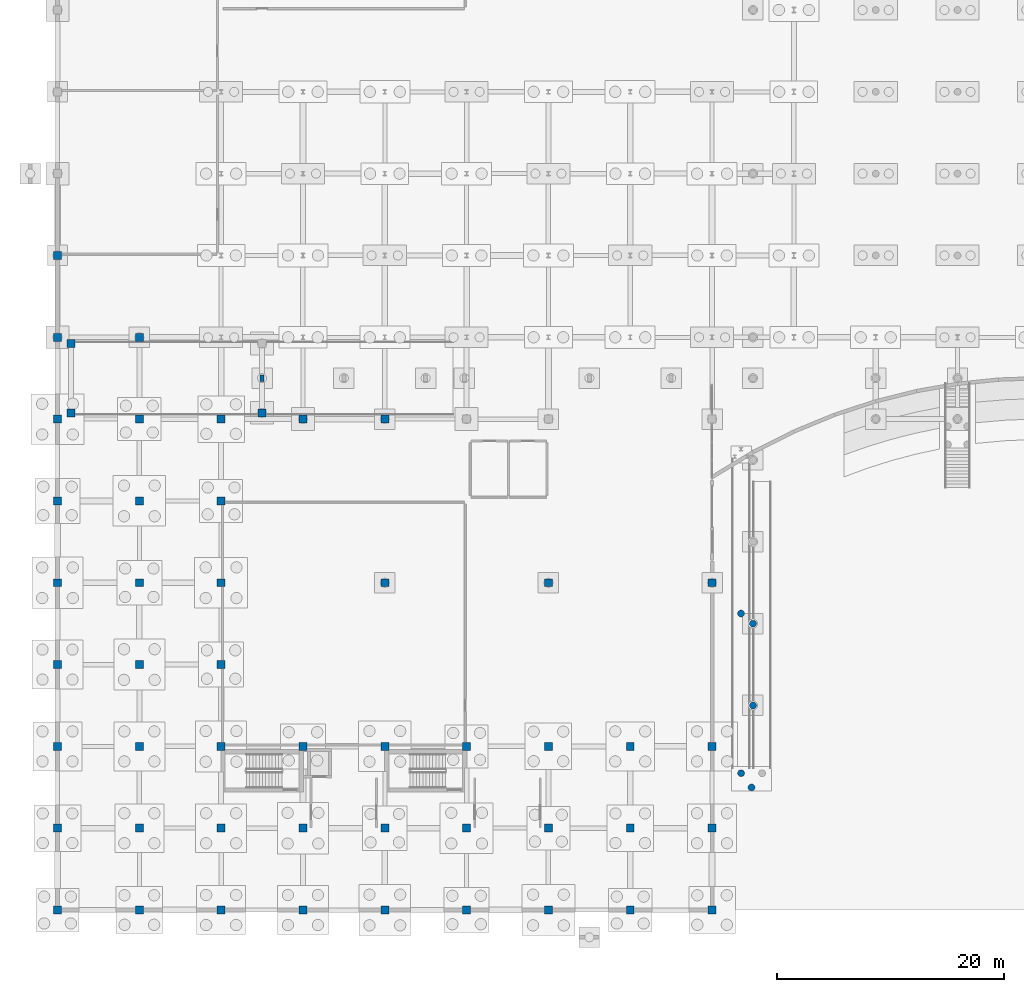
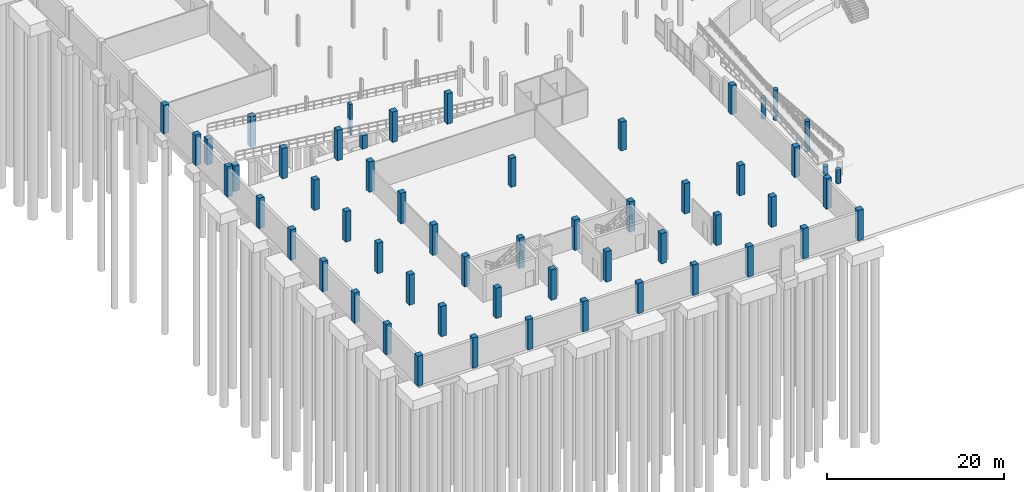
# One storey, part 19 of 56: 56 columns.
"""IFC4 building model written with IfcOpenShell, lengths in metres."""

import ifcopenshell
import ifcopenshell.guid

model = None  # the IFC model being written
_history = None  # IfcOwnerHistory: only IFC2X3 demands one
_inside = {}  # id of a spatial element -> (the spatial element, [elements in it])
_under = {}  # id of a project, library or spatial element -> (it, [spatial elements below it])
_declared = {}  # id of a project -> (the project, [libraries it declares])
_typed = {}  # id of a type object -> (the type object, [elements of that type])
_made_of = {}  # id of a material, layer set ... -> (it, [elements and type objects made of it])


def new_model(schema):
    """Start an empty IFC model of exactly this schema.

    Asked for "IFC4X3", IfcOpenShell would pick the latest addendum, in which some entities
    have other attributes; the version numbers below select the first issue.
    IFC2X3 requires an IfcOwnerHistory on every rooted entity: one is made here for all.
    """
    global model, _history
    if schema == "IFC4X3":
        model = ifcopenshell.file(schema_version=(4, 3, 0, 0))
    else:
        model = ifcopenshell.file(schema=schema)
    _inside.clear()
    _under.clear()
    _declared.clear()
    _typed.clear()
    _made_of.clear()
    _history = None
    if model.schema == "IFC2X3":
        org = make("IfcOrganization", Name="unknown")
        user = make(
            "IfcPersonAndOrganization",
            ThePerson=make("IfcPerson", FamilyName="unknown"),
            TheOrganization=org,
        )
        app = make(
            "IfcApplication",
            ApplicationDeveloper=org,
            Version="unknown",
            ApplicationFullName="unknown",
            ApplicationIdentifier="unknown",
        )
        _history = make(
            "IfcOwnerHistory",
            OwningUser=user,
            OwningApplication=app,
            ChangeAction="ADDED",
            CreationDate=0,
        )
    return model


def make(cls, **values):
    """One entity of the class cls with the attributes given. An attribute that is None is left unset."""
    return model.create_entity(
        cls, **{name: value for name, value in values.items() if value is not None}
    )


def rooted(cls, **values):
    """An entity with a GlobalId (a new one), such as an element, a storey or a relation."""
    return make(cls, GlobalId=ifcopenshell.guid.new(), OwnerHistory=_history, **values)


def si_unit(unit_type, name, prefix=None):
    """IfcSIUnit, for example si_unit("LENGTHUNIT", "METRE", prefix="MILLI")."""
    return make("IfcSIUnit", UnitType=unit_type, Prefix=prefix, Name=name)


def assignment(units):
    """IfcUnitAssignment: the units of a project."""
    return None if units is None else make("IfcUnitAssignment", Units=units)


def point(xyz):
    """IfcCartesianPoint."""
    return None if xyz is None else make("IfcCartesianPoint", Coordinates=xyz)


def direction(xyz):
    """IfcDirection."""
    return None if xyz is None else make("IfcDirection", DirectionRatios=xyz)


def frame(location, z_axis=None, x_axis=None):
    """IfcAxis2Placement3D, a coordinate frame: its origin and axes. An axis left out is left unset."""
    return make(
        "IfcAxis2Placement3D",
        Location=point(location),
        Axis=direction(z_axis),
        RefDirection=direction(x_axis),
    )


def frame_2d(location, x_axis=None):
    """IfcAxis2Placement2D, a coordinate frame in the plane: its origin and x axis."""
    return make(
        "IfcAxis2Placement2D", Location=point(location), RefDirection=direction(x_axis)
    )


def origin():
    """The frame at (0, 0, 0) with its axes left unset."""
    return frame((0.0, 0.0, 0.0))


def origin_2d():
    """The frame at (0, 0) in the plane with its x axis left unset."""
    return frame_2d((0.0, 0.0))


def place(relative_to, where):
    """IfcLocalPlacement: puts the frame where relative to a parent placement (None: the world)."""
    return make(
        "IfcLocalPlacement", PlacementRelTo=relative_to, RelativePlacement=where
    )


def context(
    kind, dimensions, precision=None, world=None, true_north=None, identifier=None
):
    """IfcGeometricRepresentationContext, for example the 3D "Model" context."""
    return make(
        "IfcGeometricRepresentationContext",
        ContextIdentifier=identifier,
        ContextType=kind,
        CoordinateSpaceDimension=dimensions,
        Precision=precision,
        WorldCoordinateSystem=world,
        TrueNorth=true_north,
    )


def subcontext(parent, identifier, kind, view, scale=None):
    """IfcGeometricRepresentationSubContext, for example "Body" below "Model"."""
    return make(
        "IfcGeometricRepresentationSubContext",
        ContextIdentifier=identifier,
        ContextType=kind,
        ParentContext=parent,
        TargetScale=scale,
        TargetView=view,
    )


def project(units=None, contexts=None):
    """IfcProject with its units and contexts."""
    return rooted(
        "IfcProject",
        Name="project",
        RepresentationContexts=contexts,
        UnitsInContext=assignment(units),
    )


def spatial(cls, under=None, at=None, **own):
    """A site, building, storey or space (cls), placed at a placement, below another one or the project."""
    s = rooted(cls, ObjectPlacement=at, **own)
    if under is not None:
        _under.setdefault(under.id(), (under, []))[1].append(s)
    return s


def profile(cls, at=None, kind="AREA", **sizes):
    """A parametric profile (cls). Its sizes go by their IFC names, for example OverallWidth=200.0."""
    return make(cls, ProfileType=kind, Position=at, **sizes)


def rectangle(**sizes):
    """IfcRectangleProfileDef."""
    return profile("IfcRectangleProfileDef", **sizes)


def circle(**sizes):
    """IfcCircleProfileDef."""
    return profile("IfcCircleProfileDef", **sizes)


def extrude(swept, where, along, depth):
    """IfcExtrudedAreaSolid: the profile swept, set in the frame where, extruded along a direction by depth."""
    return make(
        "IfcExtrudedAreaSolid",
        SweptArea=swept,
        Position=where,
        ExtrudedDirection=direction(along),
        Depth=depth,
    )


def shape(context_of_items, identifier, shape_type, items):
    """IfcShapeRepresentation: the items that make up one representation, for example the "Body"."""
    return make(
        "IfcShapeRepresentation",
        ContextOfItems=context_of_items,
        RepresentationIdentifier=identifier,
        RepresentationType=shape_type,
        Items=items,
    )


def material(Name=None, Category=None):
    """IfcMaterial."""
    return make("IfcMaterial", Name=Name, Category=Category)


def material_profile(
    of_material, cross_section, Name=None, Category=None, Priority=None
):
    """IfcMaterialProfile: a cross section and its material."""
    return make(
        "IfcMaterialProfile",
        Name=Name,
        Material=of_material,
        Profile=cross_section,
        Priority=Priority,
        Category=Category,
    )


def profile_set(profiles, Name=None, composite=None):
    """IfcMaterialProfileSet."""
    return make(
        "IfcMaterialProfileSet",
        Name=Name,
        MaterialProfiles=profiles,
        CompositeProfile=composite,
    )


def made_of(thing, what):
    """Note that an element or type object is made of a material, layer set ...; save() writes the relation."""
    if what is not None:
        _made_of.setdefault(what.id(), (what, []))[1].append(thing)
    return thing


def type_object(cls, material=None, **own):
    """A type object (cls), such as IfcWallType, which elements share."""
    return made_of(rooted(cls, **own), material)


def element(
    cls,
    number,
    at=None,
    inside=None,
    cuts=None,
    type_object=None,
    material=None,
    context=None,
    identifier="Body",
    shape_type=None,
    held_by="IfcProductDefinitionShape",
    body=None,
    shapes=None,
    **own,
):
    """One element of the class cls, such as IfcWall. Its Tag is "e" and its number.

    at: its placement. inside: the storey or other place that contains it. cuts: it is an
    opening in that element (IfcRelVoidsElement). A single representation is given by context,
    identifier, shape_type and body (its items); several are given by shapes. held_by: the class
    of the entity that holds the representations. save() writes the other relations.
    """
    e = rooted(cls, Tag="e%d" % number, ObjectPlacement=at, **own)
    if body is not None:
        shapes = [shape(context, identifier, shape_type, body)]
    if shapes is not None:
        e.Representation = make(held_by, Representations=shapes)
    if inside is not None:
        _inside.setdefault(inside.id(), (inside, []))[1].append(e)
    if cuts is not None:
        rooted(
            "IfcRelVoidsElement", RelatingBuildingElement=cuts, RelatedOpeningElement=e
        )
    if type_object is not None:
        _typed.setdefault(type_object.id(), (type_object, []))[1].append(e)
    return made_of(e, material)


def aggregate(whole, parts):
    """IfcRelAggregates: a whole, such as a stair, and the parts it consists of."""
    return rooted("IfcRelAggregates", RelatingObject=whole, RelatedObjects=parts)


def save(model, path):
    """Write the relations noted so far, then the file.

    IfcRelAggregates (storeys below a building ...), IfcRelContainedInSpatialStructure (elements
    in a storey), IfcRelDefinesByType, IfcRelAssociatesMaterial and IfcRelDeclares: one each for
    every whole, place, type object, material and project.
    """
    for whole, parts in _under.values():
        aggregate(whole, parts)
    for where, things in _inside.values():
        rooted(
            "IfcRelContainedInSpatialStructure",
            RelatedElements=things,
            RelatingStructure=where,
        )
    for kind, things in _typed.values():
        rooted("IfcRelDefinesByType", RelatedObjects=things, RelatingType=kind)
    for what, things in _made_of.values():
        rooted("IfcRelAssociatesMaterial", RelatedObjects=things, RelatingMaterial=what)
    for by, libraries in _declared.values():
        rooted("IfcRelDeclares", RelatingContext=by, RelatedDefinitions=libraries)
    model.write(path)


model = new_model("IFC4")

# Units and contexts
model_context = context("Model", 3, precision=1e-05, world=origin(), true_north=direction((0.0, 1.0)))
body_context = subcontext(model_context, "Body", "Model", "MODEL_VIEW")
ifc_project = project(units=[si_unit("LENGTHUNIT", "METRE"), si_unit("AREAUNIT", "SQUARE_METRE"), si_unit("VOLUMEUNIT", "CUBIC_METRE"), si_unit("PLANEANGLEUNIT", "RADIAN"), si_unit("MASSUNIT", "GRAM", prefix="KILO")], contexts=[model_context])

# Site, building, storey
site_placement = place(None, origin())
site = spatial("IfcSite", under=ifc_project, at=site_placement, CompositionType="ELEMENT")
building_placement = place(site_placement, origin())
building = spatial("IfcBuilding", under=site, at=building_placement, Name="Suanplinth Sawtooth Commons", CompositionType="ELEMENT")
storey_placement = place(building_placement, frame((0.0, 0.0, -4.199951171875)))
storey = spatial("IfcBuildingStorey", under=building, at=storey_placement, Name="B1", CompositionType="ELEMENT", Elevation=-4.199951171875)

# Columns
ifc_material_1 = material(Name="Concrete C40/50", Category="concrete")
ifc_material_profile_1 = material_profile(ifc_material_1, rectangle(XDim=0.699951171875, YDim=0.699951171875, at=origin_2d()), Name="RC-COL 700x700")
ifc_profile_set_1 = profile_set([ifc_material_profile_1], Name="Concrete C40/50")
column_type_1 = type_object("IfcColumnType", Name="C-02", PredefinedType="COLUMN", material=ifc_profile_set_1)
for number, where, z_axis, x_axis, name in (
    (1, (0.0, 0.0, 0.0), (0.0, 0.0, 1.0), (1.0, 0.0, 0.0), "Column B1 1/A"),
    (2, (0.0, 7.199951171875, 0.0), (0.0, 0.0, 1.0), (1.0, 0.0, 0.0), "Column B1 1/B"),
    (3, (0.0, 14.39990234375, 0.0), (0.0, 0.0, 1.0), (1.0, 0.0, 0.0), "Column B1 1/C"),
    (4, (0.0, 21.60009765625, 0.0), (0.0, 0.0, 1.0), (1.0, 0.0, 0.0), "Column B1 1/D"),
    (5, (0.0, 28.800048828125, 0.0), (0.0, 0.0, 1.0), (1.0, 0.0, 0.0), "Column B1 1/E"),
    (6, (0.0, 36.0, 0.0), (0.0, 0.0, 1.0), (1.0, 0.0, 0.0), "Column B1 1/F"),
    (7, (0.0, 43.199951171875, 0.0), (0.0, 0.0, 1.0), (1.0, 0.0, 0.0), "Column B1 1/G"),
    (8, (0.0, 50.39990234375, 0.0), (0.0, 0.0, 1.0), (1.0, 0.0, 0.0), "Column B1 1/H"),
):
    element("IfcColumn", number, at=place(storey_placement, frame(where, z_axis=z_axis, x_axis=x_axis)), inside=storey, type_object=column_type_1, Name=name, PredefinedType="COLUMN", context=body_context, shape_type="SweptSolid", body=[
        extrude(rectangle(XDim=0.699951171875, YDim=0.699951171875, at=origin_2d()), origin(), (0.0, 0.0, 1.0), 4.199951171875),
    ])
column_1_placement = place(storey_placement, frame((0.0, 57.60009765625, 0.0), z_axis=(0.0, 0.0, 1.0), x_axis=(1.0, 0.0, 0.0)))
element("IfcColumn", 9, at=column_1_placement, inside=storey, type_object=column_type_1, Name="Column B1 1/J", PredefinedType="COLUMN", context=body_context, shape_type="SweptSolid", body=[
    extrude(rectangle(XDim=0.699951171875, YDim=0.699951171875, at=origin_2d()), origin(), (0.0, 0.0, 1.0), 3.97998046875),
])
for number, where, z_axis, x_axis, name in (
    (10, (7.199951171875, 0.0, 0.0), (0.0, 0.0, 1.0), (1.0, 0.0, 0.0), "Column B1 2/A"),
    (11, (7.199951171875, 7.199951171875, 0.0), (0.0, 0.0, 1.0), (1.0, 0.0, 0.0), "Column B1 2/B"),
    (12, (7.199951171875, 14.39990234375, 0.0), (0.0, 0.0, 1.0), (1.0, 0.0, 0.0), "Column B1 2/C"),
    (13, (7.199951171875, 21.60009765625, 0.0), (0.0, 0.0, 1.0), (1.0, 0.0, 0.0), "Column B1 2/D"),
    (14, (7.199951171875, 28.800048828125, 0.0), (0.0, 0.0, 1.0), (1.0, 0.0, 0.0), "Column B1 2/E"),
    (15, (7.199951171875, 36.0, 0.0), (0.0, 0.0, 1.0), (1.0, 0.0, 0.0), "Column B1 2/F"),
    (16, (7.199951171875, 43.199951171875, 0.0), (0.0, 0.0, 1.0), (1.0, 0.0, 0.0), "Column B1 2/G"),
    (17, (7.199951171875, 50.39990234375, 0.0), (0.0, 0.0, 1.0), (1.0, 0.0, 0.0), "Column B1 2/H"),
    (18, (14.39990234375, 0.0, 0.0), (0.0, 0.0, 1.0), (1.0, 0.0, 0.0), "Column B1 3/A"),
    (19, (14.39990234375, 7.199951171875, 0.0), (0.0, 0.0, 1.0), (1.0, 0.0, 0.0), "Column B1 3/B"),
    (20, (14.39990234375, 14.39990234375, 0.0), (0.0, 0.0, 1.0), (1.0, 0.0, 0.0), "Column B1 3/C"),
    (21, (14.39990234375, 21.60009765625, 0.0), (0.0, 0.0, 1.0), (1.0, 0.0, 0.0), "Column B1 3/D"),
    (22, (14.39990234375, 28.800048828125, 0.0), (0.0, 0.0, 1.0), (1.0, 0.0, 0.0), "Column B1 3/E"),
    (23, (14.39990234375, 36.0, 0.0), (0.0, 0.0, 1.0), (1.0, 0.0, 0.0), "Column B1 3/F"),
    (24, (14.39990234375, 43.199951171875, 0.0), (0.0, 0.0, 1.0), (1.0, 0.0, 0.0), "Column B1 3/G"),
    (25, (21.60009765625, 0.0, 0.0), (0.0, 0.0, 1.0), (1.0, 0.0, 0.0), "Column B1 4/A"),
    (26, (21.60009765625, 7.199951171875, 0.0), (0.0, 0.0, 1.0), (1.0, 0.0, 0.0), "Column B1 4/B"),
    (27, (21.60009765625, 14.39990234375, 0.0), (0.0, 0.0, 1.0), (1.0, 0.0, 0.0), "Column B1 4/C"),
    (28, (21.60009765625, 43.199951171875, 0.0), (0.0, 0.0, 1.0), (1.0, 0.0, 0.0), "Column B1 4/G"),
    (29, (28.800048828125, 0.0, 0.0), (0.0, 0.0, 1.0), (1.0, 0.0, 0.0), "Column B1 5/A"),
    (30, (28.800048828125, 7.199951171875, 0.0), (0.0, 0.0, 1.0), (1.0, 0.0, 0.0), "Column B1 5/B"),
    (31, (28.800048828125, 14.39990234375, 0.0), (0.0, 0.0, 1.0), (1.0, 0.0, 0.0), "Column B1 5/C"),
):
    element("IfcColumn", number, at=place(storey_placement, frame(where, z_axis=z_axis, x_axis=x_axis)), inside=storey, type_object=column_type_1, Name=name, PredefinedType="COLUMN", context=body_context, shape_type="SweptSolid", body=[
        extrude(rectangle(XDim=0.699951171875, YDim=0.699951171875, at=origin_2d()), origin(), (0.0, 0.0, 1.0), 4.199951171875),
    ])
column_2_placement = place(storey_placement, frame((28.800048828125, 28.800048828125, 0.0), z_axis=(0.0, 0.0, 1.0), x_axis=(1.0, 0.0, 0.0)))
element("IfcColumn", 32, at=column_2_placement, inside=storey, type_object=column_type_1, Name="Column B1 5/E", PredefinedType="COLUMN", context=body_context, shape_type="SweptSolid", body=[
    extrude(rectangle(XDim=0.699951171875, YDim=0.699951171875, at=origin_2d()), origin(), (0.0, 0.0, 1.0), 3.97998046875),
])
for number, where, z_axis, x_axis, name in (
    (33, (28.800048828125, 43.199951171875, 0.0), (0.0, 0.0, 1.0), (1.0, 0.0, 0.0), "Column B1 5/G"),
    (34, (36.0, 0.0, 0.0), (0.0, 0.0, 1.0), (1.0, 0.0, 0.0), "Column B1 6/A"),
    (35, (36.0, 7.199951171875, 0.0), (0.0, 0.0, 1.0), (1.0, 0.0, 0.0), "Column B1 6/B"),
    (36, (36.0, 14.39990234375, 0.0), (0.0, 0.0, 1.0), (1.0, 0.0, 0.0), "Column B1 6/C"),
    (37, (43.199951171875, 0.0, 0.0), (0.0, 0.0, 1.0), (1.0, 0.0, 0.0), "Column B1 7/A"),
    (38, (43.199951171875, 7.199951171875, 0.0), (0.0, 0.0, 1.0), (1.0, 0.0, 0.0), "Column B1 7/B"),
    (39, (43.199951171875, 14.39990234375, 0.0), (0.0, 0.0, 1.0), (1.0, 0.0, 0.0), "Column B1 7/C"),
):
    element("IfcColumn", number, at=place(storey_placement, frame(where, z_axis=z_axis, x_axis=x_axis)), inside=storey, type_object=column_type_1, Name=name, PredefinedType="COLUMN", context=body_context, shape_type="SweptSolid", body=[
        extrude(rectangle(XDim=0.699951171875, YDim=0.699951171875, at=origin_2d()), origin(), (0.0, 0.0, 1.0), 4.199951171875),
    ])
column_3_placement = place(storey_placement, frame((43.199951171875, 28.800048828125, 0.0), z_axis=(0.0, 0.0, 1.0), x_axis=(1.0, 0.0, 0.0)))
element("IfcColumn", 40, at=column_3_placement, inside=storey, type_object=column_type_1, Name="Column B1 7/E", PredefinedType="COLUMN", context=body_context, shape_type="SweptSolid", body=[
    extrude(rectangle(XDim=0.699951171875, YDim=0.699951171875, at=origin_2d()), origin(), (0.0, 0.0, 1.0), 3.97998046875),
])
for number, where, z_axis, x_axis, name in (
    (41, (50.39990234375, 0.0, 0.0), (0.0, 0.0, 1.0), (1.0, 0.0, 0.0), "Column B1 8/A"),
    (42, (50.39990234375, 7.199951171875, 0.0), (0.0, 0.0, 1.0), (1.0, 0.0, 0.0), "Column B1 8/B"),
    (43, (50.39990234375, 14.39990234375, 0.0), (0.0, 0.0, 1.0), (1.0, 0.0, 0.0), "Column B1 8/C"),
    (44, (57.60009765625, 0.0, 0.0), (0.0, 0.0, 1.0), (1.0, 0.0, 0.0), "Column B1 9/A"),
    (45, (57.60009765625, 7.199951171875, 0.0), (0.0, 0.0, 1.0), (1.0, 0.0, 0.0), "Column B1 9/B"),
    (46, (57.60009765625, 14.39990234375, 0.0), (0.0, 0.0, 1.0), (1.0, 0.0, 0.0), "Column B1 9/C"),
):
    element("IfcColumn", number, at=place(storey_placement, frame(where, z_axis=z_axis, x_axis=x_axis)), inside=storey, type_object=column_type_1, Name=name, PredefinedType="COLUMN", context=body_context, shape_type="SweptSolid", body=[
        extrude(rectangle(XDim=0.699951171875, YDim=0.699951171875, at=origin_2d()), origin(), (0.0, 0.0, 1.0), 4.199951171875),
    ])
column_4_placement = place(storey_placement, frame((57.60009765625, 28.800048828125, 0.0), z_axis=(0.0, 0.0, 1.0), x_axis=(1.0, 0.0, 0.0)))
element("IfcColumn", 47, at=column_4_placement, inside=storey, type_object=column_type_1, Name="Column B1 9/E", PredefinedType="COLUMN", context=body_context, shape_type="SweptSolid", body=[
    extrude(rectangle(XDim=0.699951171875, YDim=0.699951171875, at=origin_2d()), origin(), (0.0, 0.0, 1.0), 3.97998046875),
])
column_5_placement = place(storey_placement, frame((18.0, 43.75, 0.0), z_axis=(0.0, 0.0, 1.0), x_axis=(1.0, 0.0, 0.0)))
element("IfcColumn", 48, at=column_5_placement, inside=storey, type_object=column_type_1, Name="Vehicle Ramp Mid-Span RC Pier 1", PredefinedType="COLUMN", context=body_context, shape_type="SweptSolid", body=[
    extrude(rectangle(XDim=0.699951171875, YDim=0.699951171875, at=origin_2d()), origin(), (0.0, 0.0, 1.0), 1.83984375),
])
for number, where, z_axis, x_axis, name in (
    (49, (1.199951171875, 43.75, 0.0), (0.0, 0.0, 1.0), (1.0, 0.0, 0.0), "Vehicle Ramp Top Threshold Pier 1"),
    (50, (1.199951171875, 49.85009765625, 0.0), (0.0, 0.0, 1.0), (1.0, 0.0, 0.0), "Vehicle Ramp Top Threshold Pier 2"),
):
    element("IfcColumn", number, at=place(storey_placement, frame(where, z_axis=z_axis, x_axis=x_axis)), inside=storey, type_object=column_type_1, Name=name, PredefinedType="COLUMN", context=body_context, shape_type="SweptSolid", body=[
        extrude(rectangle(XDim=0.699951171875, YDim=0.699951171875, at=origin_2d()), origin(), (0.0, 0.0, 1.0), 3.5400390625),
    ])
ifc_material_profile_2 = material_profile(ifc_material_1, circle(Radius=0.300048828125, at=origin_2d()), Name="RC-CIRC D600")
ifc_profile_set_2 = profile_set([ifc_material_profile_2], Name="Concrete C40/50")
column_type_2 = type_object("IfcColumnType", Name="C-08", PredefinedType="COLUMN", material=ifc_profile_set_2)
for number, where, z_axis, x_axis, name in (
    (51, (61.199951171875, 18.0, 0.0), (0.0, 0.0, 1.0), (1.0, 0.0, 0.0), "West Breezeway Substructure Pier W1"),
    (52, (61.199951171875, 25.199951171875, 0.0), (0.0, 0.0, 1.0), (1.0, 0.0, 0.0), "West Breezeway Substructure Pier W2"),
):
    element("IfcColumn", number, at=place(storey_placement, frame(where, z_axis=z_axis, x_axis=x_axis)), inside=storey, type_object=column_type_2, Name=name, PredefinedType="COLUMN", context=body_context, shape_type="SweptSolid", body=[
        extrude(circle(Radius=0.300048828125, at=origin_2d()), origin(), (0.0, 0.0, 1.0), 4.199951171875),
    ])
for number, where, z_axis, x_axis, name in (
    (53, (60.14990234375, 12.0380859375, 0.0), (0.0, 0.0, 1.0), (1.0, 0.0, 0.0), "RMP-AR-01 Mid-Landing Support Pier 2"),
    (54, (61.074951171875, 10.7880859375, 0.0), (0.0, 0.0, 1.0), (1.0, 0.0, 0.0), "RMP-AR-01 Mid-Landing Support Pier 3"),
):
    element("IfcColumn", number, at=place(storey_placement, frame(where, z_axis=z_axis, x_axis=x_axis)), inside=storey, type_object=column_type_2, Name=name, PredefinedType="COLUMN", context=body_context, shape_type="SweptSolid", body=[
        extrude(circle(Radius=0.300048828125, at=origin_2d()), origin(), (0.0, 0.0, 1.0), 1.949951171875),
    ])
column_6_placement = place(storey_placement, frame((60.14990234375, 26.088134765625, 0.0), z_axis=(0.0, 0.0, 1.0), x_axis=(1.0, 0.0, 0.0)))
element("IfcColumn", 55, at=column_6_placement, inside=storey, type_object=column_type_2, Name="RMP-AR-01 Upper Flight Support Pier", PredefinedType="COLUMN", context=body_context, shape_type="SweptSolid", body=[
    extrude(circle(Radius=0.300048828125, at=origin_2d()), origin(), (0.0, 0.0, 1.0), 2.949951171875),
])
ifc_material_2 = material(Name="Precast concrete C40/50", Category="concrete")
ifc_material_profile_3 = material_profile(ifc_material_2, rectangle(XDim=0.35009765625, YDim=0.550048828125, at=origin_2d()), Name="PC-PIL 350x550")
ifc_profile_set_3 = profile_set([ifc_material_profile_3], Name="Precast concrete C40/50")
column_type_3 = type_object("IfcColumnType", Name="C-13", PredefinedType="PILASTER", material=ifc_profile_set_3)
column_7_placement = place(storey_placement, frame((18.0, 46.800048828125, 0.0), z_axis=(0.0, 0.0, 1.0), x_axis=(1.0, 0.0, 0.0)))
element("IfcColumn", 56, at=column_7_placement, inside=storey, type_object=column_type_3, Name="Veranda Colonnade Pilaster B1 P1", PredefinedType="PILASTER", context=body_context, shape_type="SweptSolid", body=[
    extrude(rectangle(XDim=0.35009765625, YDim=0.550048828125, at=origin_2d()), origin(), (0.0, 0.0, 1.0), 4.199951171875),
])

save(model, "model.ifc")
